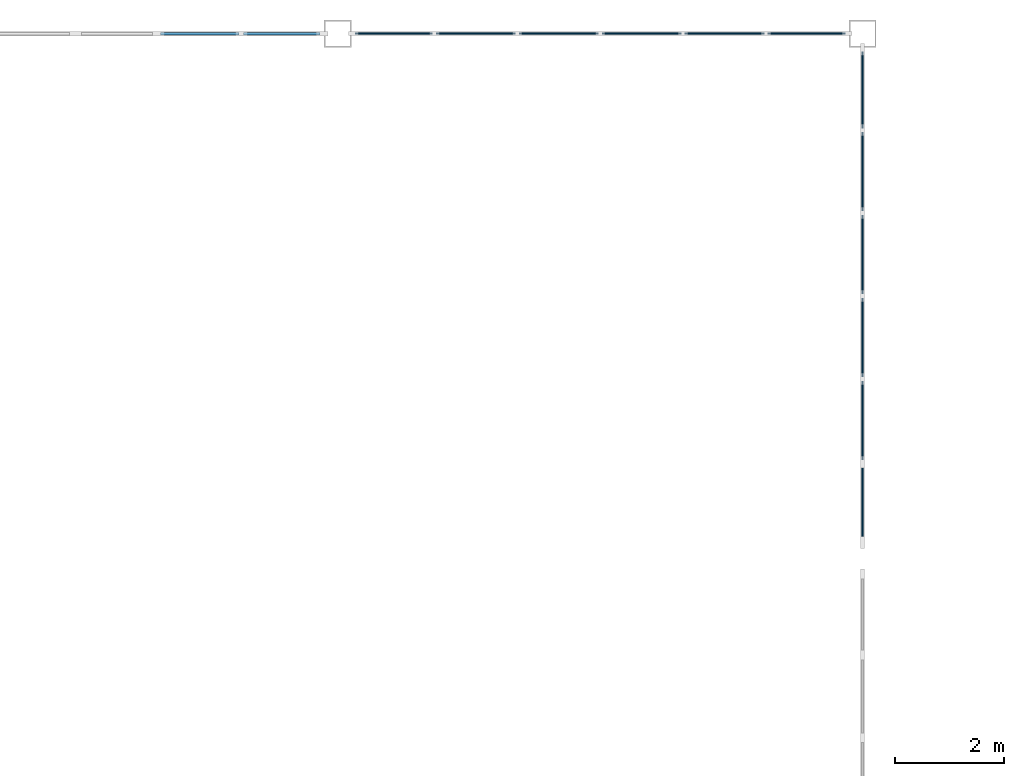
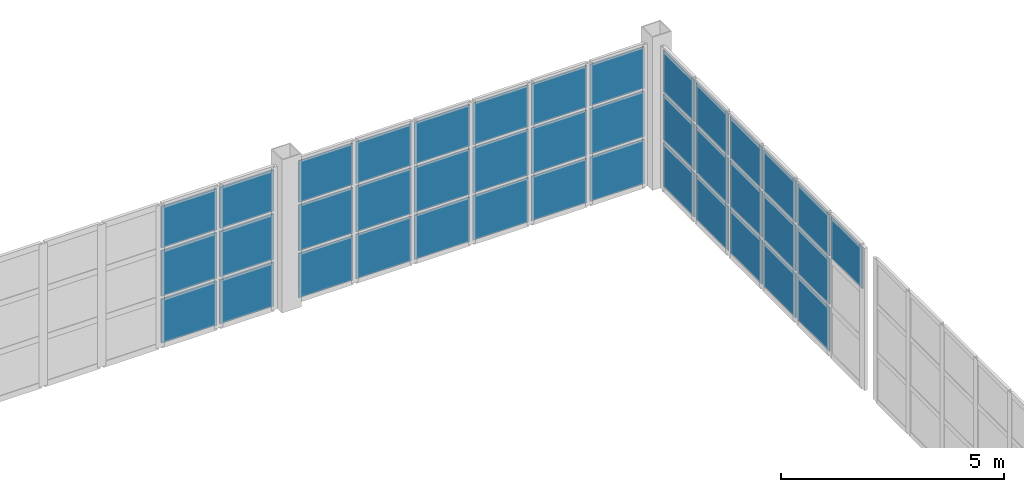
# One storey, part 59 of 82: 40 plates, 3 elements without a shape of their own.
"""IFC4 building model written with IfcOpenShell, lengths in metres."""

from ifc_helpers import new_model, si_unit, direction, frame, origin, origin_2d, place, context, subcontext, project, spatial, rectangle, extrude, material, layer, layer_set, type_object, element, aggregate, save


model = new_model("IFC4")

# Units and contexts
model_context = context("Model", 3, precision=1e-05, world=origin(), true_north=direction((0.0, 1.0)))
body_context = subcontext(model_context, "Body", "Model", "MODEL_VIEW")
ifc_project = project(units=[si_unit("LENGTHUNIT", "METRE"), si_unit("AREAUNIT", "SQUARE_METRE"), si_unit("VOLUMEUNIT", "CUBIC_METRE"), si_unit("PLANEANGLEUNIT", "RADIAN"), si_unit("MASSUNIT", "GRAM", prefix="KILO")], contexts=[model_context])

# Site, building, storey
site_placement = place(None, origin())
site = spatial("IfcSite", under=ifc_project, at=site_placement, CompositionType="ELEMENT")
building_placement = place(site_placement, origin())
building = spatial("IfcBuilding", under=site, at=building_placement, Name="Zarnetskaya Central Station", CompositionType="ELEMENT")
storey_placement = place(building_placement, frame((0.0, 0.0, 10.199951171875)))
storey = spatial("IfcBuildingStorey", under=building, at=storey_placement, Name="L02", CompositionType="ELEMENT", Elevation=10.199951171875)

# Curtain wall, plates
ifc_material = material(Name="Low-E insulated glass", Category="glass")
ifc_layer_1 = layer(ifc_material, 0.1640625, Name="Low-E insulated glass", Category="glass")
ifc_layer_set_1 = layer_set([ifc_layer_1], Name="Low-E insulated glass")
curtain_wall_type = type_object("IfcCurtainWallType", Name="CW-SYS-12", PredefinedType="USERDEFINED", material=ifc_layer_set_1)
curtain_wall_1_placement = place(storey_placement, origin())
curtain_wall_1 = element("IfcCurtainWall", 1, at=curtain_wall_1_placement, inside=storey, type_object=curtain_wall_type, Name="Curtain wall CW-L02-175", ObjectType="CURTAIN WALL", PredefinedType="USERDEFINED")
ifc_layer_2 = layer(ifc_material, 0.028076171875, Name="Low-E insulated glass", Category="glass")
ifc_layer_set_2 = layer_set([ifc_layer_2], Name="Low-E insulated glass")
plate_type_1 = type_object("IfcPlateType", Name="CW-PAN-28", PredefinedType="CURTAIN_PANEL", material=ifc_layer_set_2)
plate_1_placement = place(storey_placement, frame((116.225830078125, 124.800048828125, 0.0703125), z_axis=(0.0, 0.0, 1.0), x_axis=(1.0, 0.0, 0.0)))
plate_1 = element("IfcPlate", 2, at=plate_1_placement, type_object=plate_type_1, Name="CW-18 panel 1.1", PredefinedType="CURTAIN_PANEL", context=body_context, shape_type="SweptSolid", body=[
    extrude(rectangle(XDim=1.41162109375, YDim=0.028076171875, at=origin_2d()), origin(), (0.0, 0.0, 1.0), 1.220947265625),
])
plate_2_placement = place(storey_placement, frame((116.225830078125, 124.800048828125, 1.36083984375), z_axis=(0.0, 0.0, 1.0), x_axis=(1.0, 0.0, 0.0)))
plate_2 = element("IfcPlate", 3, at=plate_2_placement, type_object=plate_type_1, Name="CW-18 panel 1.2", PredefinedType="CURTAIN_PANEL", context=body_context, shape_type="SweptSolid", body=[
    extrude(rectangle(XDim=1.41162109375, YDim=0.028076171875, at=origin_2d()), origin(), (0.0, 0.0, 1.0), 1.256103515625),
])
plate_3_placement = place(storey_placement, frame((116.225830078125, 124.800048828125, 2.68701171875), z_axis=(0.0, 0.0, 1.0), x_axis=(1.0, 0.0, 0.0)))
plate_3 = element("IfcPlate", 4, at=plate_3_placement, type_object=plate_type_1, Name="CW-18 panel 1.3", PredefinedType="CURTAIN_PANEL", context=body_context, shape_type="SweptSolid", body=[
    extrude(rectangle(XDim=1.41162109375, YDim=0.028076171875, at=origin_2d()), origin(), (0.0, 0.0, 1.0), 1.14306640625),
])
plate_4_placement = place(storey_placement, frame((117.72509765625, 124.800048828125, 0.0703125), z_axis=(0.0, 0.0, 1.0), x_axis=(1.0, 0.0, 0.0)))
plate_4 = element("IfcPlate", 5, at=plate_4_placement, type_object=plate_type_1, Name="CW-18 panel 2.1", PredefinedType="CURTAIN_PANEL", context=body_context, shape_type="SweptSolid", body=[
    extrude(rectangle(XDim=1.44677734375, YDim=0.028076171875, at=origin_2d()), origin(), (0.0, 0.0, 1.0), 1.220947265625),
])
plate_5_placement = place(storey_placement, frame((117.72509765625, 124.800048828125, 1.36083984375), z_axis=(0.0, 0.0, 1.0), x_axis=(1.0, 0.0, 0.0)))
plate_5 = element("IfcPlate", 6, at=plate_5_placement, type_object=plate_type_1, Name="CW-18 panel 2.2", PredefinedType="CURTAIN_PANEL", context=body_context, shape_type="SweptSolid", body=[
    extrude(rectangle(XDim=1.44677734375, YDim=0.028076171875, at=origin_2d()), origin(), (0.0, 0.0, 1.0), 1.256103515625),
])
plate_6_placement = place(storey_placement, frame((117.72509765625, 124.800048828125, 2.68701171875), z_axis=(0.0, 0.0, 1.0), x_axis=(1.0, 0.0, 0.0)))
plate_6 = element("IfcPlate", 7, at=plate_6_placement, type_object=plate_type_1, Name="CW-18 panel 2.3", PredefinedType="CURTAIN_PANEL", context=body_context, shape_type="SweptSolid", body=[
    extrude(rectangle(XDim=1.44677734375, YDim=0.028076171875, at=origin_2d()), origin(), (0.0, 0.0, 1.0), 1.14306640625),
])
plate_7_placement = place(storey_placement, frame((119.24169921875, 124.800048828125, 0.0703125), z_axis=(0.0, 0.0, 1.0), x_axis=(1.0, 0.0, 0.0)))
plate_7 = element("IfcPlate", 8, at=plate_7_placement, type_object=plate_type_1, Name="CW-18 panel 3.1", PredefinedType="CURTAIN_PANEL", context=body_context, shape_type="SweptSolid", body=[
    extrude(rectangle(XDim=1.44677734375, YDim=0.028076171875, at=origin_2d()), origin(), (0.0, 0.0, 1.0), 1.220947265625),
])
plate_8_placement = place(storey_placement, frame((119.24169921875, 124.800048828125, 1.36083984375), z_axis=(0.0, 0.0, 1.0), x_axis=(1.0, 0.0, 0.0)))
plate_8 = element("IfcPlate", 9, at=plate_8_placement, type_object=plate_type_1, Name="CW-18 panel 3.2", PredefinedType="CURTAIN_PANEL", context=body_context, shape_type="SweptSolid", body=[
    extrude(rectangle(XDim=1.44677734375, YDim=0.028076171875, at=origin_2d()), origin(), (0.0, 0.0, 1.0), 1.256103515625),
])
plate_9_placement = place(storey_placement, frame((119.24169921875, 124.800048828125, 2.68701171875), z_axis=(0.0, 0.0, 1.0), x_axis=(1.0, 0.0, 0.0)))
plate_9 = element("IfcPlate", 10, at=plate_9_placement, type_object=plate_type_1, Name="CW-18 panel 3.3", PredefinedType="CURTAIN_PANEL", context=body_context, shape_type="SweptSolid", body=[
    extrude(rectangle(XDim=1.44677734375, YDim=0.028076171875, at=origin_2d()), origin(), (0.0, 0.0, 1.0), 1.14306640625),
])
plate_10_placement = place(storey_placement, frame((120.75830078125, 124.800048828125, 0.0703125), z_axis=(0.0, 0.0, 1.0), x_axis=(1.0, 0.0, 0.0)))
plate_10 = element("IfcPlate", 11, at=plate_10_placement, type_object=plate_type_1, Name="CW-18 panel 4.1", PredefinedType="CURTAIN_PANEL", context=body_context, shape_type="SweptSolid", body=[
    extrude(rectangle(XDim=1.44677734375, YDim=0.028076171875, at=origin_2d()), origin(), (0.0, 0.0, 1.0), 1.220947265625),
])
plate_11_placement = place(storey_placement, frame((120.75830078125, 124.800048828125, 1.36083984375), z_axis=(0.0, 0.0, 1.0), x_axis=(1.0, 0.0, 0.0)))
plate_11 = element("IfcPlate", 12, at=plate_11_placement, type_object=plate_type_1, Name="CW-18 panel 4.2", PredefinedType="CURTAIN_PANEL", context=body_context, shape_type="SweptSolid", body=[
    extrude(rectangle(XDim=1.44677734375, YDim=0.028076171875, at=origin_2d()), origin(), (0.0, 0.0, 1.0), 1.256103515625),
])
plate_12_placement = place(storey_placement, frame((120.75830078125, 124.800048828125, 2.68701171875), z_axis=(0.0, 0.0, 1.0), x_axis=(1.0, 0.0, 0.0)))
plate_12 = element("IfcPlate", 13, at=plate_12_placement, type_object=plate_type_1, Name="CW-18 panel 4.3", PredefinedType="CURTAIN_PANEL", context=body_context, shape_type="SweptSolid", body=[
    extrude(rectangle(XDim=1.44677734375, YDim=0.028076171875, at=origin_2d()), origin(), (0.0, 0.0, 1.0), 1.14306640625),
])
plate_13_placement = place(storey_placement, frame((122.27490234375, 124.800048828125, 0.0703125), z_axis=(0.0, 0.0, 1.0), x_axis=(1.0, 0.0, 0.0)))
plate_13 = element("IfcPlate", 14, at=plate_13_placement, type_object=plate_type_1, Name="CW-18 panel 5.1", PredefinedType="CURTAIN_PANEL", context=body_context, shape_type="SweptSolid", body=[
    extrude(rectangle(XDim=1.44677734375, YDim=0.028076171875, at=origin_2d()), origin(), (0.0, 0.0, 1.0), 1.220947265625),
])
plate_14_placement = place(storey_placement, frame((122.27490234375, 124.800048828125, 1.36083984375), z_axis=(0.0, 0.0, 1.0), x_axis=(1.0, 0.0, 0.0)))
plate_14 = element("IfcPlate", 15, at=plate_14_placement, type_object=plate_type_1, Name="CW-18 panel 5.2", PredefinedType="CURTAIN_PANEL", context=body_context, shape_type="SweptSolid", body=[
    extrude(rectangle(XDim=1.44677734375, YDim=0.028076171875, at=origin_2d()), origin(), (0.0, 0.0, 1.0), 1.256103515625),
])
plate_15_placement = place(storey_placement, frame((122.27490234375, 124.800048828125, 2.68701171875), z_axis=(0.0, 0.0, 1.0), x_axis=(1.0, 0.0, 0.0)))
plate_15 = element("IfcPlate", 16, at=plate_15_placement, type_object=plate_type_1, Name="CW-18 panel 5.3", PredefinedType="CURTAIN_PANEL", context=body_context, shape_type="SweptSolid", body=[
    extrude(rectangle(XDim=1.44677734375, YDim=0.028076171875, at=origin_2d()), origin(), (0.0, 0.0, 1.0), 1.14306640625),
])
plate_16_placement = place(storey_placement, frame((123.774169921875, 124.800048828125, 0.0703125), z_axis=(0.0, 0.0, 1.0), x_axis=(1.0, 0.0, 0.0)))
plate_16 = element("IfcPlate", 17, at=plate_16_placement, type_object=plate_type_1, Name="CW-18 panel 6.1", PredefinedType="CURTAIN_PANEL", context=body_context, shape_type="SweptSolid", body=[
    extrude(rectangle(XDim=1.41162109375, YDim=0.028076171875, at=origin_2d()), origin(), (0.0, 0.0, 1.0), 1.220947265625),
])
plate_17_placement = place(storey_placement, frame((123.774169921875, 124.800048828125, 1.36083984375), z_axis=(0.0, 0.0, 1.0), x_axis=(1.0, 0.0, 0.0)))
plate_17 = element("IfcPlate", 18, at=plate_17_placement, type_object=plate_type_1, Name="CW-18 panel 6.2", PredefinedType="CURTAIN_PANEL", context=body_context, shape_type="SweptSolid", body=[
    extrude(rectangle(XDim=1.41162109375, YDim=0.028076171875, at=origin_2d()), origin(), (0.0, 0.0, 1.0), 1.256103515625),
])
plate_18_placement = place(storey_placement, frame((123.774169921875, 124.800048828125, 2.68701171875), z_axis=(0.0, 0.0, 1.0), x_axis=(1.0, 0.0, 0.0)))
plate_18 = element("IfcPlate", 19, at=plate_18_placement, type_object=plate_type_1, Name="CW-18 panel 6.3", PredefinedType="CURTAIN_PANEL", context=body_context, shape_type="SweptSolid", body=[
    extrude(rectangle(XDim=1.41162109375, YDim=0.028076171875, at=origin_2d()), origin(), (0.0, 0.0, 1.0), 1.14306640625),
])
aggregate(curtain_wall_1, [plate_1, plate_2, plate_3, plate_4, plate_5, plate_6, plate_7, plate_8, plate_9, plate_10, plate_11, plate_12, plate_13, plate_14, plate_15, plate_16, plate_17, plate_18])

curtain_wall_2_placement = place(storey_placement, origin())
curtain_wall_2 = element("IfcCurtainWall", 20, at=curtain_wall_2_placement, inside=storey, type_object=curtain_wall_type, Name="Curtain wall CW-L02-176", ObjectType="CURTAIN WALL", PredefinedType="USERDEFINED")
ifc_layer_3 = layer(ifc_material, 0.031982421875, Name="Low-E insulated glass", Category="glass")
ifc_layer_set_3 = layer_set([ifc_layer_3], Name="Low-E insulated glass")
plate_type_2 = type_object("IfcPlateType", Name="CW-PAN-32", PredefinedType="CURTAIN_PANEL", material=ifc_layer_set_3)
plate_19_placement = place(storey_placement, frame((124.800048828125, 123.771728515625, 0.080078125), z_axis=(0.0, 0.0, 1.0), x_axis=(0.0, -1.0, 0.0)))
plate_19 = element("IfcPlate", 21, at=plate_19_placement, type_object=plate_type_2, Name="CW-18 panel 1.1", PredefinedType="CURTAIN_PANEL", context=body_context, shape_type="SweptSolid", body=[
    extrude(rectangle(XDim=1.396728515625, YDim=0.031982421875, at=origin_2d()), origin(), (0.0, 0.0, 1.0), 1.2060546875),
])
plate_20_placement = place(storey_placement, frame((124.800048828125, 123.771728515625, 1.365966796875), z_axis=(0.0, 0.0, 1.0), x_axis=(0.0, -1.0, 0.0)))
plate_20 = element("IfcPlate", 22, at=plate_20_placement, type_object=plate_type_2, Name="CW-18 panel 1.2", PredefinedType="CURTAIN_PANEL", context=body_context, shape_type="SweptSolid", body=[
    extrude(rectangle(XDim=1.396728515625, YDim=0.031982421875, at=origin_2d()), origin(), (0.0, 0.0, 1.0), 1.24609375),
])
plate_21_placement = place(storey_placement, frame((124.800048828125, 123.771728515625, 2.692138671875), z_axis=(0.0, 0.0, 1.0), x_axis=(0.0, -1.0, 0.0)))
plate_21 = element("IfcPlate", 23, at=plate_21_placement, type_object=plate_type_2, Name="CW-18 panel 1.3", PredefinedType="CURTAIN_PANEL", context=body_context, shape_type="SweptSolid", body=[
    extrude(rectangle(XDim=1.396728515625, YDim=0.031982421875, at=origin_2d()), origin(), (0.0, 0.0, 1.0), 1.1279296875),
])
plate_22_placement = place(storey_placement, frame((124.800048828125, 122.27490234375, 0.080078125), z_axis=(0.0, 0.0, 1.0), x_axis=(0.0, -1.0, 0.0)))
plate_22 = element("IfcPlate", 24, at=plate_22_placement, type_object=plate_type_2, Name="CW-18 panel 2.1", PredefinedType="CURTAIN_PANEL", context=body_context, shape_type="SweptSolid", body=[
    extrude(rectangle(XDim=1.436767578125, YDim=0.031982421875, at=origin_2d()), origin(), (0.0, 0.0, 1.0), 1.2060546875),
])
plate_23_placement = place(storey_placement, frame((124.800048828125, 122.27490234375, 1.365966796875), z_axis=(0.0, 0.0, 1.0), x_axis=(0.0, -1.0, 0.0)))
plate_23 = element("IfcPlate", 25, at=plate_23_placement, type_object=plate_type_2, Name="CW-18 panel 2.2", PredefinedType="CURTAIN_PANEL", context=body_context, shape_type="SweptSolid", body=[
    extrude(rectangle(XDim=1.436767578125, YDim=0.031982421875, at=origin_2d()), origin(), (0.0, 0.0, 1.0), 1.24609375),
])
plate_24_placement = place(storey_placement, frame((124.800048828125, 122.27490234375, 2.692138671875), z_axis=(0.0, 0.0, 1.0), x_axis=(0.0, -1.0, 0.0)))
plate_24 = element("IfcPlate", 26, at=plate_24_placement, type_object=plate_type_2, Name="CW-18 panel 2.3", PredefinedType="CURTAIN_PANEL", context=body_context, shape_type="SweptSolid", body=[
    extrude(rectangle(XDim=1.436767578125, YDim=0.031982421875, at=origin_2d()), origin(), (0.0, 0.0, 1.0), 1.1279296875),
])
plate_25_placement = place(storey_placement, frame((124.800048828125, 120.75830078125, 0.080078125), z_axis=(0.0, 0.0, 1.0), x_axis=(0.0, -1.0, 0.0)))
plate_25 = element("IfcPlate", 27, at=plate_25_placement, type_object=plate_type_2, Name="CW-18 panel 3.1", PredefinedType="CURTAIN_PANEL", context=body_context, shape_type="SweptSolid", body=[
    extrude(rectangle(XDim=1.436767578125, YDim=0.031982421875, at=origin_2d()), origin(), (0.0, 0.0, 1.0), 1.2060546875),
])
plate_26_placement = place(storey_placement, frame((124.800048828125, 120.75830078125, 1.365966796875), z_axis=(0.0, 0.0, 1.0), x_axis=(0.0, -1.0, 0.0)))
plate_26 = element("IfcPlate", 28, at=plate_26_placement, type_object=plate_type_2, Name="CW-18 panel 3.2", PredefinedType="CURTAIN_PANEL", context=body_context, shape_type="SweptSolid", body=[
    extrude(rectangle(XDim=1.436767578125, YDim=0.031982421875, at=origin_2d()), origin(), (0.0, 0.0, 1.0), 1.24609375),
])
plate_27_placement = place(storey_placement, frame((124.800048828125, 120.75830078125, 2.692138671875), z_axis=(0.0, 0.0, 1.0), x_axis=(0.0, -1.0, 0.0)))
plate_27 = element("IfcPlate", 29, at=plate_27_placement, type_object=plate_type_2, Name="CW-18 panel 3.3", PredefinedType="CURTAIN_PANEL", context=body_context, shape_type="SweptSolid", body=[
    extrude(rectangle(XDim=1.436767578125, YDim=0.031982421875, at=origin_2d()), origin(), (0.0, 0.0, 1.0), 1.1279296875),
])
plate_28_placement = place(storey_placement, frame((124.800048828125, 119.24169921875, 0.080078125), z_axis=(0.0, 0.0, 1.0), x_axis=(0.0, -1.0, 0.0)))
plate_28 = element("IfcPlate", 30, at=plate_28_placement, type_object=plate_type_2, Name="CW-18 panel 4.1", PredefinedType="CURTAIN_PANEL", context=body_context, shape_type="SweptSolid", body=[
    extrude(rectangle(XDim=1.436767578125, YDim=0.031982421875, at=origin_2d()), origin(), (0.0, 0.0, 1.0), 1.2060546875),
])
plate_29_placement = place(storey_placement, frame((124.800048828125, 119.24169921875, 1.365966796875), z_axis=(0.0, 0.0, 1.0), x_axis=(0.0, -1.0, 0.0)))
plate_29 = element("IfcPlate", 31, at=plate_29_placement, type_object=plate_type_2, Name="CW-18 panel 4.2", PredefinedType="CURTAIN_PANEL", context=body_context, shape_type="SweptSolid", body=[
    extrude(rectangle(XDim=1.436767578125, YDim=0.031982421875, at=origin_2d()), origin(), (0.0, 0.0, 1.0), 1.24609375),
])
plate_30_placement = place(storey_placement, frame((124.800048828125, 119.24169921875, 2.692138671875), z_axis=(0.0, 0.0, 1.0), x_axis=(0.0, -1.0, 0.0)))
plate_30 = element("IfcPlate", 32, at=plate_30_placement, type_object=plate_type_2, Name="CW-18 panel 4.3", PredefinedType="CURTAIN_PANEL", context=body_context, shape_type="SweptSolid", body=[
    extrude(rectangle(XDim=1.436767578125, YDim=0.031982421875, at=origin_2d()), origin(), (0.0, 0.0, 1.0), 1.1279296875),
])
plate_31_placement = place(storey_placement, frame((124.800048828125, 117.72509765625, 0.080078125), z_axis=(0.0, 0.0, 1.0), x_axis=(0.0, -1.0, 0.0)))
plate_31 = element("IfcPlate", 33, at=plate_31_placement, type_object=plate_type_2, Name="CW-18 panel 5.1", PredefinedType="CURTAIN_PANEL", context=body_context, shape_type="SweptSolid", body=[
    extrude(rectangle(XDim=1.436767578125, YDim=0.031982421875, at=origin_2d()), origin(), (0.0, 0.0, 1.0), 1.2060546875),
])
plate_32_placement = place(storey_placement, frame((124.800048828125, 117.72509765625, 1.365966796875), z_axis=(0.0, 0.0, 1.0), x_axis=(0.0, -1.0, 0.0)))
plate_32 = element("IfcPlate", 34, at=plate_32_placement, type_object=plate_type_2, Name="CW-18 panel 5.2", PredefinedType="CURTAIN_PANEL", context=body_context, shape_type="SweptSolid", body=[
    extrude(rectangle(XDim=1.436767578125, YDim=0.031982421875, at=origin_2d()), origin(), (0.0, 0.0, 1.0), 1.24609375),
])
plate_33_placement = place(storey_placement, frame((124.800048828125, 117.72509765625, 2.692138671875), z_axis=(0.0, 0.0, 1.0), x_axis=(0.0, -1.0, 0.0)))
plate_33 = element("IfcPlate", 35, at=plate_33_placement, type_object=plate_type_2, Name="CW-18 panel 5.3", PredefinedType="CURTAIN_PANEL", context=body_context, shape_type="SweptSolid", body=[
    extrude(rectangle(XDim=1.436767578125, YDim=0.031982421875, at=origin_2d()), origin(), (0.0, 0.0, 1.0), 1.1279296875),
])
plate_34_placement = place(storey_placement, frame((124.800048828125, 116.228271484375, 2.692138671875), z_axis=(0.0, 0.0, 1.0), x_axis=(0.0, -1.0, 0.0)))
plate_34 = element("IfcPlate", 36, at=plate_34_placement, type_object=plate_type_2, Name="CW-18 panel 6.3", PredefinedType="CURTAIN_PANEL", context=body_context, shape_type="SweptSolid", body=[
    extrude(rectangle(XDim=1.396728515625, YDim=0.031982421875, at=origin_2d()), origin(), (0.0, 0.0, 1.0), 1.1279296875),
])
aggregate(curtain_wall_2, [plate_19, plate_20, plate_21, plate_22, plate_23, plate_24, plate_25, plate_26, plate_27, plate_28, plate_29, plate_30, plate_31, plate_32, plate_33, plate_34])

curtain_wall_3_placement = place(storey_placement, origin())
curtain_wall_3 = element("IfcCurtainWall", 37, at=curtain_wall_3_placement, inside=storey, type_object=curtain_wall_type, Name="Curtain wall CW-L02-174", ObjectType="CURTAIN WALL", PredefinedType="USERDEFINED")
ifc_layer_4 = layer(ifc_material, 0.0439453125, Name="Low-E insulated glass", Category="glass")
ifc_layer_set_4 = layer_set([ifc_layer_4], Name="Low-E insulated glass")
plate_type_3 = type_object("IfcPlateType", Name="CW-PAN-44", PredefinedType="CURTAIN_PANEL", material=ifc_layer_set_4)
plate_35_placement = place(storey_placement, frame((112.675048828125, 124.800048828125, 0.080078125), z_axis=(0.0, 0.0, 1.0), x_axis=(1.0, 0.0, 0.0)))
plate_35 = element("IfcPlate", 38, at=plate_35_placement, type_object=plate_type_3, Name="CW-18 panel 5.1", PredefinedType="CURTAIN_PANEL", context=body_context, shape_type="SweptSolid", body=[
    extrude(rectangle(XDim=1.436767578125, YDim=0.0439453125, at=origin_2d()), origin(), (0.0, 0.0, 1.0), 1.2060546875),
])
plate_36_placement = place(storey_placement, frame((112.675048828125, 124.800048828125, 1.365966796875), z_axis=(0.0, 0.0, 1.0), x_axis=(1.0, 0.0, 0.0)))
plate_36 = element("IfcPlate", 39, at=plate_36_placement, type_object=plate_type_3, Name="CW-18 panel 5.2", PredefinedType="CURTAIN_PANEL", context=body_context, shape_type="SweptSolid", body=[
    extrude(rectangle(XDim=1.436767578125, YDim=0.0439453125, at=origin_2d()), origin(), (0.0, 0.0, 1.0), 1.24609375),
])
plate_37_placement = place(storey_placement, frame((112.675048828125, 124.800048828125, 2.692138671875), z_axis=(0.0, 0.0, 1.0), x_axis=(1.0, 0.0, 0.0)))
plate_37 = element("IfcPlate", 40, at=plate_37_placement, type_object=plate_type_3, Name="CW-18 panel 5.3", PredefinedType="CURTAIN_PANEL", context=body_context, shape_type="SweptSolid", body=[
    extrude(rectangle(XDim=1.436767578125, YDim=0.0439453125, at=origin_2d()), origin(), (0.0, 0.0, 1.0), 1.1279296875),
])
plate_38_placement = place(storey_placement, frame((114.171630859375, 124.800048828125, 0.080078125), z_axis=(0.0, 0.0, 1.0), x_axis=(1.0, 0.0, 0.0)))
plate_38 = element("IfcPlate", 41, at=plate_38_placement, type_object=plate_type_3, Name="CW-18 panel 6.1", PredefinedType="CURTAIN_PANEL", context=body_context, shape_type="SweptSolid", body=[
    extrude(rectangle(XDim=1.396728515625, YDim=0.0439453125, at=origin_2d()), origin(), (0.0, 0.0, 1.0), 1.2060546875),
])
plate_39_placement = place(storey_placement, frame((114.171630859375, 124.800048828125, 1.365966796875), z_axis=(0.0, 0.0, 1.0), x_axis=(1.0, 0.0, 0.0)))
plate_39 = element("IfcPlate", 42, at=plate_39_placement, type_object=plate_type_3, Name="CW-18 panel 6.2", PredefinedType="CURTAIN_PANEL", context=body_context, shape_type="SweptSolid", body=[
    extrude(rectangle(XDim=1.396728515625, YDim=0.0439453125, at=origin_2d()), origin(), (0.0, 0.0, 1.0), 1.24609375),
])
plate_40_placement = place(storey_placement, frame((114.171630859375, 124.800048828125, 2.692138671875), z_axis=(0.0, 0.0, 1.0), x_axis=(1.0, 0.0, 0.0)))
plate_40 = element("IfcPlate", 43, at=plate_40_placement, type_object=plate_type_3, Name="CW-18 panel 6.3", PredefinedType="CURTAIN_PANEL", context=body_context, shape_type="SweptSolid", body=[
    extrude(rectangle(XDim=1.396728515625, YDim=0.0439453125, at=origin_2d()), origin(), (0.0, 0.0, 1.0), 1.1279296875),
])
aggregate(curtain_wall_3, [plate_35, plate_36, plate_37, plate_38, plate_39, plate_40])

save(model, "model.ifc")
